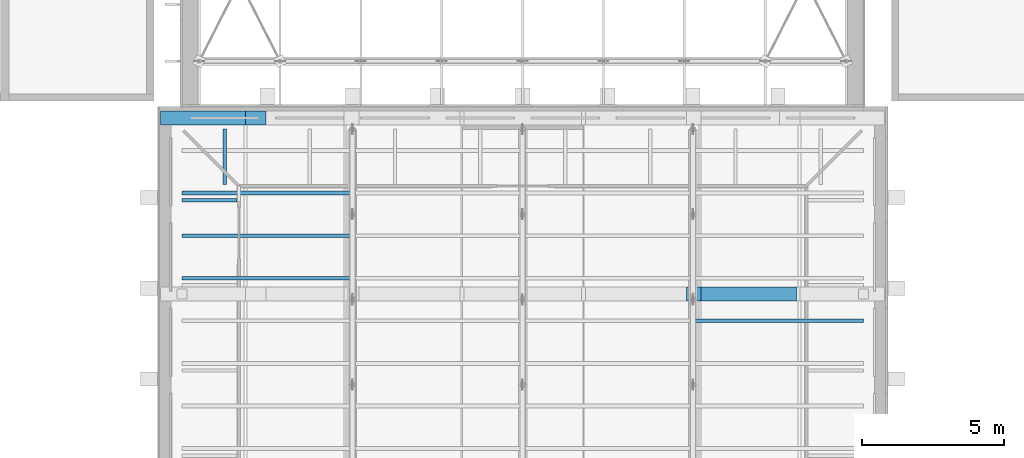
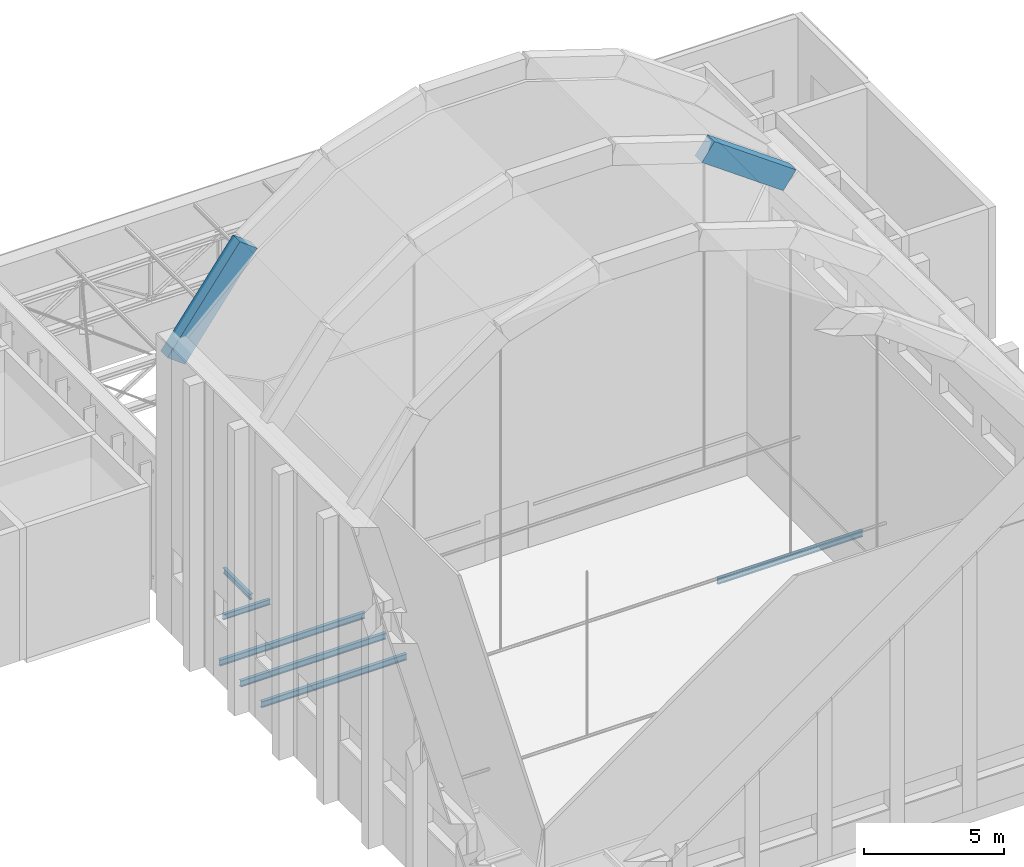
# One storey, part 28 of 55: 6 beams, 2 members.
"""IFC4 building model written with IfcOpenShell, lengths in metres."""

from ifc_helpers import new_model, si_unit, direction, frame, origin, origin_2d, place, context, subcontext, project, spatial, rectangle, i_section, extrude, material, material_profile, profile_set, type_object, element, save


model = new_model("IFC4")

# Units and contexts
model_context = context("Model", 3, precision=1e-05, world=origin(), true_north=direction((0.0, 1.0)))
body_context = subcontext(model_context, "Body", "Model", "MODEL_VIEW")
ifc_project = project(units=[si_unit("LENGTHUNIT", "METRE"), si_unit("AREAUNIT", "SQUARE_METRE"), si_unit("VOLUMEUNIT", "CUBIC_METRE"), si_unit("PLANEANGLEUNIT", "RADIAN"), si_unit("MASSUNIT", "GRAM", prefix="KILO")], contexts=[model_context])

# Site, building, storey
site_placement = place(None, origin())
site = spatial("IfcSite", under=ifc_project, at=site_placement, CompositionType="ELEMENT")
building_placement = place(site_placement, origin())
building = spatial("IfcBuilding", under=site, at=building_placement, Name="Lunette Opera House", CompositionType="ELEMENT")
storey_placement = place(building_placement, frame((0.0, 0.0, 34.0)))
storey = spatial("IfcBuildingStorey", under=building, at=storey_placement, Name="L06", CompositionType="ELEMENT", Elevation=34.0)

# Beams
ifc_material_1 = material(Name="Concrete C40/50", Category="concrete")
ifc_material_profile_1 = material_profile(ifc_material_1, rectangle(XDim=0.5, YDim=0.89990234375, at=origin_2d()), Name="ARCH BEAM 500X900")
ifc_profile_set_1 = profile_set([ifc_material_profile_1], Name="Concrete C40/50")
beam_type_1 = type_object("IfcBeamType", Name="ARCH BEAM 500X900", PredefinedType="BEAM", material=ifc_profile_set_1)
beam_1_placement = place(storey_placement, frame((102.031005859375, 114.199951171875, 17.98193359375), z_axis=(0.81279485596, 0.0, -0.582550016844), x_axis=(0.0, 1.0, 0.0)))
element("IfcBeam", 1, at=beam_1_placement, inside=storey, type_object=beam_type_1, Name="beam-ST-L06-EAT4-6", PredefinedType="BEAM", context=body_context, shape_type="SweptSolid", body=[
    extrude(rectangle(XDim=0.5, YDim=0.89990234375, at=origin_2d()), origin(), (0.0, 0.0, 1.0), 4.15234375),
])
beam_2_placement = place(storey_placement, frame((83.60009765625, 120.39990234375, 11.528076171875), z_axis=(0.595879274634, 0.0, 0.803074025269), x_axis=(0.0, 1.0, 0.0)))
element("IfcBeam", 2, at=beam_2_placement, inside=storey, type_object=beam_type_1, Name="beam-ST-L06-EAT5-1", PredefinedType="BEAM", context=body_context, shape_type="SweptSolid", body=[
    extrude(rectangle(XDim=0.5, YDim=0.89990234375, at=origin_2d()), origin(), (0.0, 0.0, 1.0), 5.0244140625),
])

# Members
ifc_material_2 = material(Name="Steel S355", Category="steel")
ifc_material_profile_2 = material_profile(ifc_material_2, i_section(OverallWidth=0.1201171875, OverallDepth=0.239990234375, WebThickness=0.006103515625, FlangeThickness=0.009765625, FilletRadius=0.014892578125, at=origin_2d()), Name="IPE 240")
ifc_profile_set_2 = profile_set([ifc_material_profile_2], Name="Steel S355")
member_type = type_object("IfcMemberType", Name="BRACKET IPE 240", PredefinedType="MEMBER", material=ifc_profile_set_2)
for number, where, z_axis, x_axis, name in (
    (3, (85.5, 120.010009765625, 1.820068359375), (0.0, -1.0, 0.0), (1.0, 0.0, 0.0), "mem-ST-L06-LOFT-BKN855-1200"),
    (4, (83.989990234375, 117.5, 1.820068359375), (1.0, 0.0, 0.0), (0.0, 1.0, 0.0), "mem-ST-L06-LOFT-BKW839-1175"),
):
    element("IfcMember", number, at=place(storey_placement, frame(where, z_axis=z_axis, x_axis=x_axis)), inside=storey, type_object=member_type, Name=name, PredefinedType="MEMBER", context=body_context, shape_type="SweptSolid", body=[
        extrude(i_section(OverallWidth=0.1201171875, OverallDepth=0.239990234375, WebThickness=0.006103515625, FlangeThickness=0.009765625, FilletRadius=0.014892578125, at=origin_2d()), origin(), (0.0, 0.0, 1.0), 1.949951171875),
    ])

# Beams
ifc_material_3 = material(Name="Steel S355", Category="steel")
ifc_material_profile_3 = material_profile(ifc_material_3, i_section(OverallWidth=0.135009765625, OverallDepth=0.27001953125, WebThickness=0.006591796875, FlangeThickness=0.01025390625, FilletRadius=0.014892578125, at=origin_2d()), Name="IPE 270")
ifc_profile_set_3 = profile_set([ifc_material_profile_3], Name="Steel S355")
beam_type_2 = type_object("IfcBeamType", Name="STEEL BEAM IPE 270", PredefinedType="BEAM", material=ifc_profile_set_3)
for number, where, z_axis, x_axis, name in (
    (5, (102.0, 113.25, -0.3349609375), (1.0, 0.0, 0.0), (0.0, 1.0, 0.0), "beam-ST-L06-GRID-11325-4"),
    (6, (83.989990234375, 114.75, -0.3349609375), (1.0, 0.0, 0.0), (0.0, 1.0, 0.0), "beam-ST-L06-GRID-11475-1"),
    (7, (83.989990234375, 116.25, -0.3349609375), (1.0, 0.0, 0.0), (0.0, 1.0, 0.0), "beam-ST-L06-GRID-11625-1"),
    (8, (83.989990234375, 117.75, -0.3349609375), (1.0, 0.0, 0.0), (0.0, 1.0, 0.0), "beam-ST-L06-GRID-11775-1"),
):
    element("IfcBeam", number, at=place(storey_placement, frame(where, z_axis=z_axis, x_axis=x_axis)), inside=storey, type_object=beam_type_2, Name=name, PredefinedType="BEAM", context=body_context, shape_type="SweptSolid", body=[
        extrude(i_section(OverallWidth=0.135009765625, OverallDepth=0.27001953125, WebThickness=0.006591796875, FlangeThickness=0.01025390625, FilletRadius=0.014892578125, at=origin_2d()), origin(), (0.0, 0.0, 1.0), 6.010009765625),
    ])

save(model, "model.ifc")
